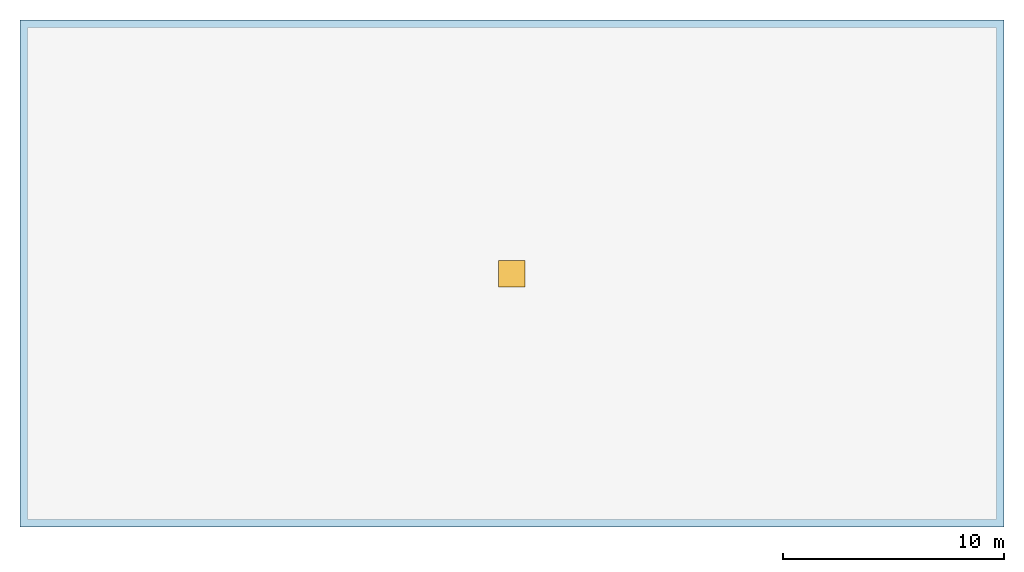
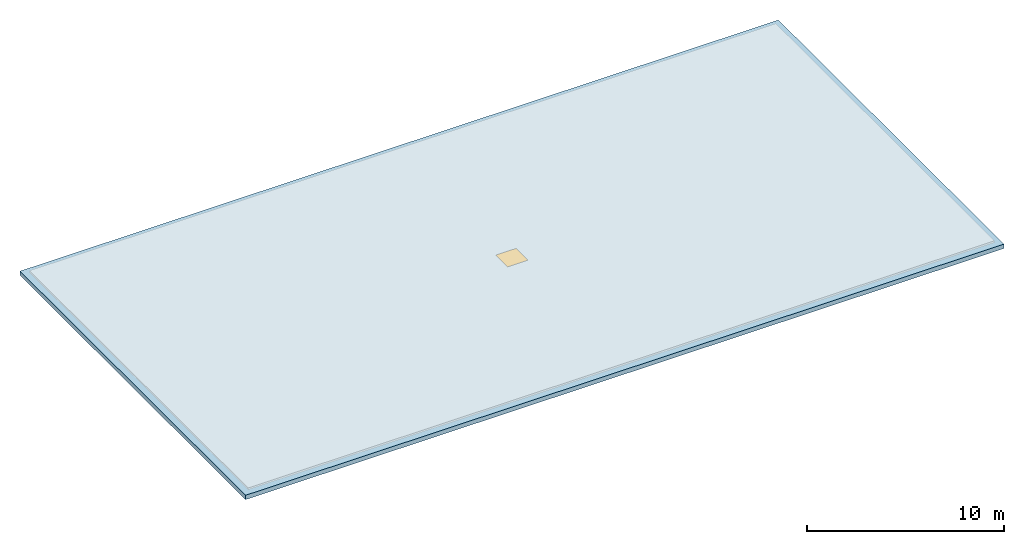
# One storey, part 1 of 2: 1 slab, 1 window, 1 opening.
"""IFC4 building model written with IfcOpenShell, lengths in metres."""

from ifc_helpers import new_model, si_unit, direction, frame, origin, origin_2d, place, context, subcontext, project, spatial, polyline, rectangle, outline, extrude, material, layer, layer_set, type_object, element, fill, save


model = new_model("IFC4")

# Units and contexts
model_context = context("Model", 3, precision=1e-05, world=origin(), true_north=direction((0.0, 1.0)))
body_context = subcontext(model_context, "Body", "Model", "MODEL_VIEW")
ifc_project = project(units=[si_unit("LENGTHUNIT", "METRE"), si_unit("AREAUNIT", "SQUARE_METRE"), si_unit("VOLUMEUNIT", "CUBIC_METRE"), si_unit("PLANEANGLEUNIT", "RADIAN"), si_unit("MASSUNIT", "GRAM", prefix="KILO")], contexts=[model_context])

# Site, building, storey
site_placement = place(None, origin())
site = spatial("IfcSite", under=ifc_project, at=site_placement, CompositionType="ELEMENT")
building_placement = place(site_placement, origin())
building = spatial("IfcBuilding", under=site, at=building_placement, Name="Solenvale Faculty of Natural Sciences", CompositionType="ELEMENT")
storey_placement = place(building_placement, frame((0.0, 0.0, 56.39990234375)))
storey = spatial("IfcBuildingStorey", under=building, at=storey_placement, Name="ROOF", CompositionType="ELEMENT", Elevation=56.39990234375)

# Slab, opening, window
ifc_material_1 = material(Name="Concrete 40 MPa", Category="concrete")
ifc_layer = layer(ifc_material_1, 0.27001953125)
ifc_layer_set = layer_set([ifc_layer], Name="Concrete 40 MPa")
slab_type = type_object("IfcSlabType", Name="SL-ROOF-270", PredefinedType="ROOF", material=ifc_layer_set)
slab_placement = place(storey_placement, frame((0.0, 0.0, -0.27001953125)))
slab = element("IfcSlab", 1, at=slab_placement, inside=storey, type_object=slab_type, Name="ROOF Flat Roof Deck 1", PredefinedType="ROOF", context=body_context, shape_type="SweptSolid", body=[
    extrude(outline(polyline([(144.679931640625, 115.8798828125), (144.679931640625, 92.919921875), (100.1201171875, 92.919921875), (100.1201171875, 115.8798828125), (144.679931640625, 115.8798828125)])), origin(), (0.0, 0.0, 1.0), 0.27001953125),
])
opening_placement = place(slab_placement, frame((122.39990234375, 104.39990234375, -0.010009765625)))
opening = element("IfcOpeningElement", 2, at=opening_placement, cuts=slab, Name="Opening SK-01", PredefinedType="OPENING", context=body_context, shape_type="SweptSolid", body=[
    extrude(rectangle(XDim=1.199951171875, YDim=1.199951171875, at=origin_2d()), origin(), (0.0, 0.0, 1.0), 0.2900390625),
])
ifc_material_2 = material(Name="North-light skylight glass", Category="glass")
window_type = type_object("IfcWindowType", Name="SK-HT-1200x1200", PartitioningType="SINGLE_PANEL", PredefinedType="SKYLIGHT", material=ifc_material_2)
window_placement = place(slab_placement, frame((122.39990234375, 104.39990234375, 0.219970703125)))
window = element("IfcWindow", 3, at=window_placement, inside=storey, type_object=window_type, Name="ROOF Roof Skylight Hatch 7", OverallHeight=1.199951171875, OverallWidth=1.199951171875, PartitioningType="SINGLE_PANEL", PredefinedType="SKYLIGHT", context=body_context, shape_type="SweptSolid", body=[
    extrude(rectangle(XDim=1.199951171875, YDim=1.199951171875, at=origin_2d()), origin(), (0.0, 0.0, 1.0), 0.050048828125),
])
fill(opening, window)

save(model, "model.ifc")
